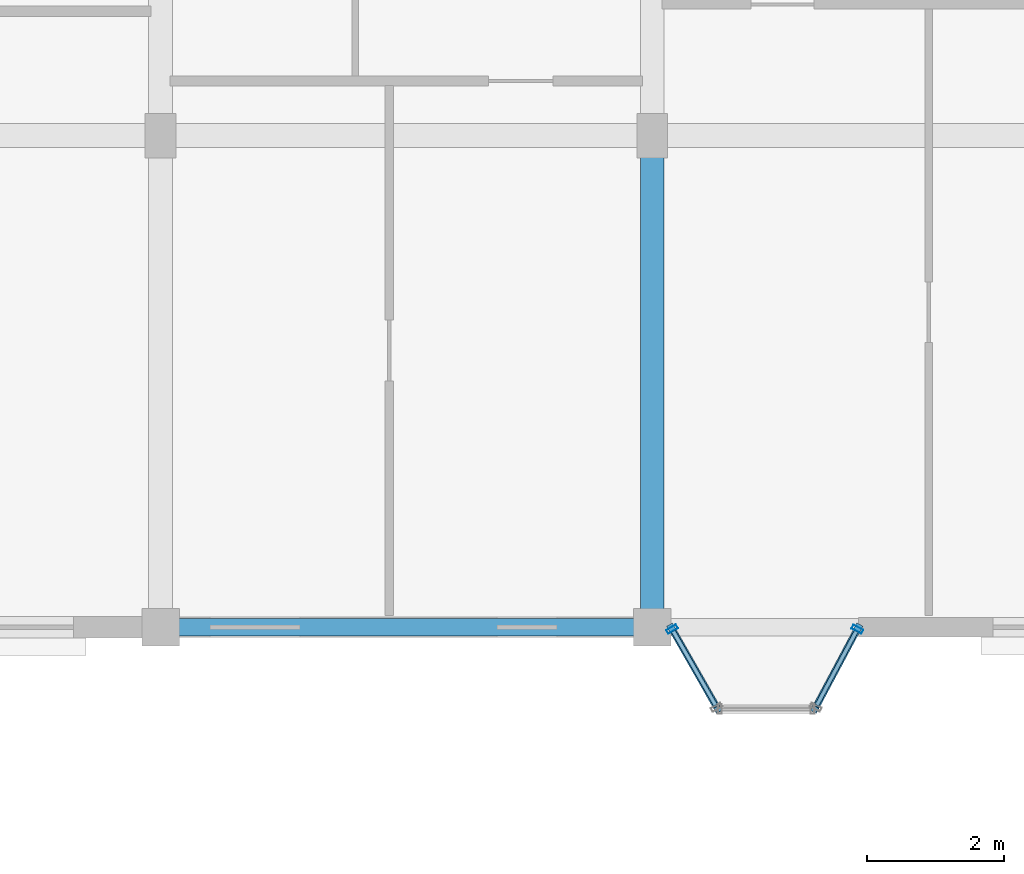
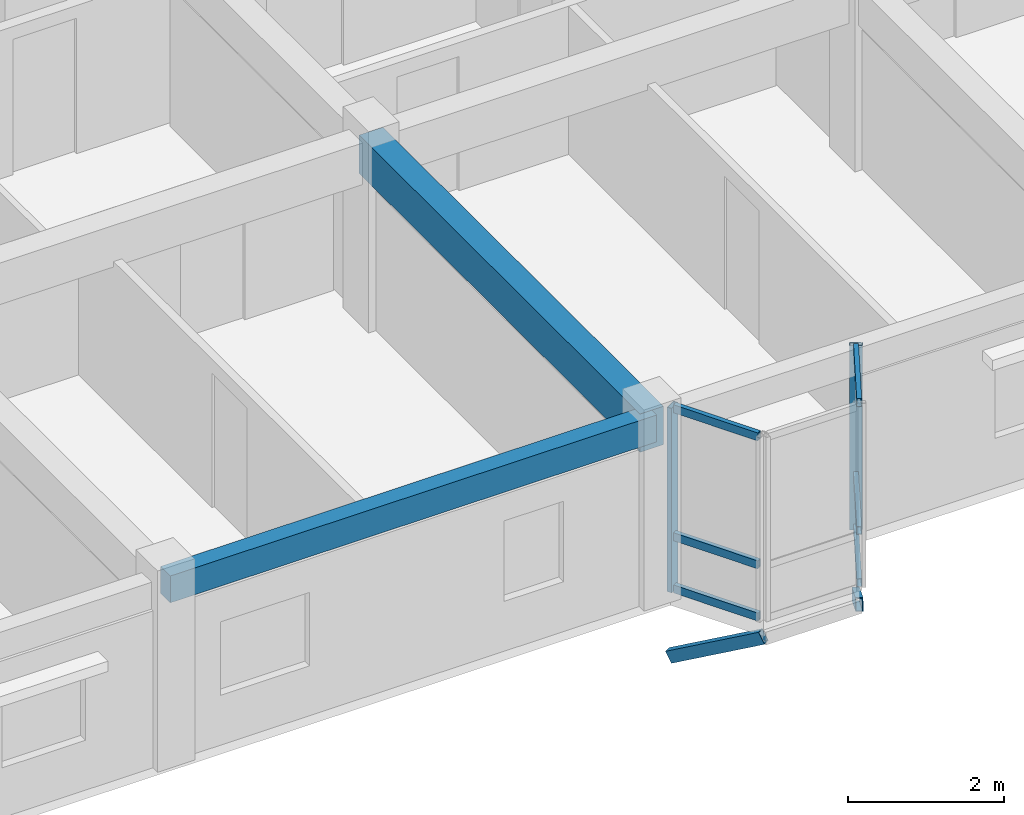
# One storey, part 40 of 77: 10 members, 2 beams, 2 elements without a shape of their own.
"""IFC4 building model written with IfcOpenShell, lengths in metres."""

from ifc_helpers import new_model, si_unit, direction, frame, origin, origin_2d, place, context, subcontext, project, spatial, rectangle, hollow_rectangle, extrude, material, layer, layer_set, material_profile, profile_set, type_object, element, aggregate, save


model = new_model("IFC4")

# Units and contexts
model_context = context("Model", 3, precision=1e-05, world=origin(), true_north=direction((0.0, 1.0)))
body_context = subcontext(model_context, "Body", "Model", "MODEL_VIEW")
ifc_project = project(units=[si_unit("LENGTHUNIT", "METRE"), si_unit("AREAUNIT", "SQUARE_METRE"), si_unit("VOLUMEUNIT", "CUBIC_METRE"), si_unit("PLANEANGLEUNIT", "RADIAN"), si_unit("MASSUNIT", "GRAM", prefix="KILO"), si_unit("THERMODYNAMICTEMPERATUREUNIT", "KELVIN"), si_unit("POWERUNIT", "WATT")], contexts=[model_context])

# Site, building, storey
site_placement = place(None, origin())
site = spatial("IfcSite", under=ifc_project, at=site_placement, CompositionType="ELEMENT")
building_placement = place(site_placement, origin())
building = spatial("IfcBuilding", under=site, at=building_placement, Name="Tavuni Mirador Residences", CompositionType="ELEMENT")
storey_placement = place(building_placement, frame((0.0, 0.0, 17.10009765625)))
storey = spatial("IfcBuildingStorey", under=building, at=storey_placement, Name="L05", CompositionType="ELEMENT", Elevation=17.10009765625)

# Beams
ifc_material_1 = material(Name="Precast concrete C40/50", Category="concrete")
ifc_material_profile_1 = material_profile(ifc_material_1, rectangle(XDim=0.35009765625, YDim=0.60009765625, at=origin_2d()), Name="PC 350x600", Category="concrete")
ifc_profile_set_1 = profile_set([ifc_material_profile_1], Name="Precast concrete C40/50")
beam_type_1 = type_object("IfcBeamType", Name="BT-B600", PredefinedType="BEAM", material=ifc_profile_set_1)
beam_1_placement = place(storey_placement, frame((46.800048828125, 144.0, 2.5849609375), z_axis=(0.0, 1.0, 0.0), x_axis=(-1.0, 0.0, 0.0)))
element("IfcBeam", 1, at=beam_1_placement, inside=storey, type_object=beam_type_1, Name="BMY-BLK-C-L05-05-00", PredefinedType="BEAM", context=body_context, shape_type="SweptSolid", body=[
    extrude(rectangle(XDim=0.35009765625, YDim=0.60009765625, at=origin_2d()), origin(), (0.0, 0.0, 1.0), 7.199951171875),
])
ifc_material_profile_2 = material_profile(ifc_material_1, rectangle(XDim=0.25, YDim=0.419921875, at=origin_2d()), Name="PC 250x420", Category="concrete")
ifc_profile_set_2 = profile_set([ifc_material_profile_2], Name="Precast concrete C40/50")
beam_type_2 = type_object("IfcBeamType", Name="BT-SP420", PredefinedType="SPANDREL", material=ifc_profile_set_2)
beam_2_placement = place(storey_placement, frame((39.60009765625, 144.0, 2.6748046875), z_axis=(1.0, 0.0, 0.0), x_axis=(0.0, 1.0, 0.0)))
element("IfcBeam", 2, at=beam_2_placement, inside=storey, type_object=beam_type_2, Name="BMX-BLK-C-L05-04-00", PredefinedType="SPANDREL", context=body_context, shape_type="SweptSolid", body=[
    extrude(rectangle(XDim=0.25, YDim=0.419921875, at=origin_2d()), origin(), (0.0, 0.0, 1.0), 7.199951171875),
])

# Curtain wall, member
ifc_material_2 = material(Name="Anodised aluminium", Category="aluminium")
ifc_layer_1 = layer(ifc_material_2, 0.159912109375, Name="Anodised aluminium", Category="aluminium")
ifc_layer_set_1 = layer_set([ifc_layer_1], Name="Anodised aluminium")
curtain_wall_type_1 = type_object("IfcCurtainWallType", Name="CWT-MIR-D", PredefinedType="NOTDEFINED", material=ifc_layer_set_1)
curtain_wall_1_placement = place(storey_placement, origin())
curtain_wall_1 = element("IfcCurtainWall", 3, at=curtain_wall_1_placement, inside=storey, type_object=curtain_wall_type_1, Name="CW-MIR-C-S3-L05-M1", PredefinedType="NOTDEFINED")
ifc_material_profile_3 = material_profile(ifc_material_2, hollow_rectangle(XDim=0.06494140625, YDim=0.1650390625, WallThickness=0.00439453125, at=origin_2d()), Name="ALU 65x165x4.5", Category="aluminium")
ifc_profile_set_3 = profile_set([ifc_material_profile_3], Name="Anodised aluminium")
member_type_1 = type_object("IfcMemberType", Name="CWM-165", PredefinedType="MULLION", material=ifc_profile_set_3)
member_1_placement = place(storey_placement, frame((47.091064453125, 143.9716796875, 0.0), z_axis=(0.0, 0.0, 1.0), x_axis=(0.495749192217, -0.868465738194, 0.0)))
member_1 = element("IfcMember", 4, at=member_1_placement, type_object=member_type_1, Name="CW-04 mullion 1", PredefinedType="MULLION", context=body_context, shape_type="SweptSolid", body=[
    extrude(hollow_rectangle(XDim=0.06494140625, YDim=0.1650390625, WallThickness=0.00439453125, at=origin_2d()), origin(), (0.0, 0.0, 1.0), 2.885009765625),
])

ifc_layer_2 = layer(ifc_material_2, 0.14990234375, Name="Anodised aluminium", Category="aluminium")
ifc_layer_set_2 = layer_set([ifc_layer_2], Name="Anodised aluminium")
curtain_wall_type_2 = type_object("IfcCurtainWallType", Name="CWT-MIR-B", PredefinedType="NOTDEFINED", material=ifc_layer_set_2)
curtain_wall_2_placement = place(storey_placement, origin())
curtain_wall_2 = element("IfcCurtainWall", 5, at=curtain_wall_2_placement, inside=storey, type_object=curtain_wall_type_2, Name="CW-MIR-C-S3-L05-M2", PredefinedType="NOTDEFINED")
member_2_placement = place(storey_placement, frame((49.8046875, 143.971435546875, 0.0), z_axis=(0.0, 0.0, 1.0), x_axis=(0.470588235296, 0.882352941175, 0.0)))
member_2 = element("IfcMember", 6, at=member_2_placement, type_object=member_type_1, Name="CW-02 mullion 2", PredefinedType="MULLION", context=body_context, shape_type="SweptSolid", body=[
    extrude(hollow_rectangle(XDim=0.06494140625, YDim=0.1650390625, WallThickness=0.00439453125, at=origin_2d()), origin(), (0.0, 0.0, 1.0), 2.885009765625),
])

# Member
ifc_material_profile_4 = material_profile(ifc_material_2, hollow_rectangle(XDim=0.06494140625, YDim=0.125, WallThickness=0.00439453125, at=origin_2d()), Name="ALU 65x125x4.5", Category="aluminium")
ifc_profile_set_4 = profile_set([ifc_material_profile_4], Name="Anodised aluminium")
member_type_2 = type_object("IfcMemberType", Name="CWT-125", PredefinedType="USERDEFINED", material=ifc_profile_set_4)
member_3_placement = place(storey_placement, frame((47.107177734375, 143.943603515625, 0.032470703125), z_axis=(0.495760837306, -0.868459090685, 0.0), x_axis=(0.868459090685, 0.495760837306, 0.0)))
member_3 = element("IfcMember", 7, at=member_3_placement, type_object=member_type_2, Name="CW-04 transom 1.1", ObjectType="TRANSOM", PredefinedType="USERDEFINED", context=body_context, shape_type="SweptSolid", body=[
    extrude(hollow_rectangle(XDim=0.06494140625, YDim=0.125, WallThickness=0.00439453125, at=origin_2d()), origin(), (0.0, 0.0, 1.0), 1.251708984375),
])

member_4_placement = place(storey_placement, frame((47.107177734375, 143.943603515625, 0.849853515625), z_axis=(0.495760837306, -0.868459090685, 0.0), x_axis=(0.868459090685, 0.495760837306, 0.0)))
member_4 = element("IfcMember", 8, at=member_4_placement, type_object=member_type_2, Name="CW-04 transom 1.2", ObjectType="TRANSOM", PredefinedType="USERDEFINED", context=body_context, shape_type="SweptSolid", body=[
    extrude(hollow_rectangle(XDim=0.06494140625, YDim=0.125, WallThickness=0.00439453125, at=origin_2d()), origin(), (0.0, 0.0, 1.0), 1.251708984375),
])

member_5_placement = place(storey_placement, frame((47.107177734375, 143.943603515625, 2.852294921875), z_axis=(0.495760837306, -0.868459090685, 0.0), x_axis=(0.868459090685, 0.495760837306, 0.0)))
member_5 = element("IfcMember", 9, at=member_5_placement, type_object=member_type_2, Name="CW-04 transom 1.3", ObjectType="TRANSOM", PredefinedType="USERDEFINED", context=body_context, shape_type="SweptSolid", body=[
    extrude(hollow_rectangle(XDim=0.06494140625, YDim=0.125, WallThickness=0.00439453125, at=origin_2d()), origin(), (0.0, 0.0, 1.0), 1.251708984375),
])

aggregate(curtain_wall_1, [member_1, member_3, member_4, member_5])

member_6_placement = place(storey_placement, frame((49.210693359375, 142.857421875, 0.032470703125), z_axis=(0.470485195601, 0.882407887952, 0.0), x_axis=(-0.882407887952, 0.470485195601, 0.0)))
member_6 = element("IfcMember", 10, at=member_6_placement, type_object=member_type_2, Name="CW-02 transom 1.1", ObjectType="TRANSOM", PredefinedType="USERDEFINED", context=body_context, shape_type="SweptSolid", body=[
    extrude(hollow_rectangle(XDim=0.06494140625, YDim=0.125, WallThickness=0.00439453125, at=origin_2d()), origin(), (0.0, 0.0, 1.0), 1.229736328125),
])

member_7_placement = place(storey_placement, frame((49.210693359375, 142.857421875, 0.849853515625), z_axis=(0.470485195601, 0.882407887952, 0.0), x_axis=(-0.882407887952, 0.470485195601, 0.0)))
member_7 = element("IfcMember", 11, at=member_7_placement, type_object=member_type_2, Name="CW-02 transom 1.2", ObjectType="TRANSOM", PredefinedType="USERDEFINED", context=body_context, shape_type="SweptSolid", body=[
    extrude(hollow_rectangle(XDim=0.06494140625, YDim=0.125, WallThickness=0.00439453125, at=origin_2d()), origin(), (0.0, 0.0, 1.0), 1.229736328125),
])

member_8_placement = place(storey_placement, frame((49.210693359375, 142.857421875, 2.852294921875), z_axis=(0.470485195601, 0.882407887952, 0.0), x_axis=(-0.882407887952, 0.470485195601, 0.0)))
member_8 = element("IfcMember", 12, at=member_8_placement, type_object=member_type_2, Name="CW-02 transom 1.3", ObjectType="TRANSOM", PredefinedType="USERDEFINED", context=body_context, shape_type="SweptSolid", body=[
    extrude(hollow_rectangle(XDim=0.06494140625, YDim=0.125, WallThickness=0.00439453125, at=origin_2d()), origin(), (0.0, 0.0, 1.0), 1.229736328125),
])

aggregate(curtain_wall_2, [member_2, member_6, member_7, member_8])

# Members
ifc_material_3 = material(Name="Structural steel S355", Category="steel")
ifc_material_profile_5 = material_profile(ifc_material_3, hollow_rectangle(XDim=0.10009765625, YDim=0.179931640625, WallThickness=0.008056640625, at=origin_2d()), Name="RHS 180x100x8.0", Category="steel")
ifc_profile_set_5 = profile_set([ifc_material_profile_5], Name="Structural steel S355")
member_type_3 = type_object("IfcMemberType", Name="MT-BR-RHS180", PredefinedType="BRACE", material=ifc_profile_set_5)
member_9_placement = place(storey_placement, frame((47.074951171875, 144.0, -1.050048828125), z_axis=(0.431095380922, -0.755108267011, 0.493931450344), x_axis=(0.868438794398, 0.495796390047, 0.0)))
element("IfcMember", 13, at=member_9_placement, inside=storey, type_object=member_type_3, Name="MBRK-MIR-C-S3-L05-1", PredefinedType="BRACE", context=body_context, shape_type="SweptSolid", body=[
    extrude(hollow_rectangle(XDim=0.10009765625, YDim=0.179931640625, WallThickness=0.008056640625, at=origin_2d()), origin(), (0.0, 0.0, 1.0), 1.589111328125),
])
member_10_placement = place(storey_placement, frame((49.820068359375, 144.0, -1.050048828125), z_axis=(-0.407660536563, -0.76416915988, 0.499858361956), x_axis=(0.882303244255, -0.470681405175, 0.0)))
element("IfcMember", 14, at=member_10_placement, inside=storey, type_object=member_type_3, Name="MBRK-MIR-C-S3-L05-2", PredefinedType="BRACE", context=body_context, shape_type="SweptSolid", body=[
    extrude(hollow_rectangle(XDim=0.10009765625, YDim=0.179931640625, WallThickness=0.008056640625, at=origin_2d()), origin(), (0.0, 0.0, 1.0), 1.5703125),
])

save(model, "model.ifc")
